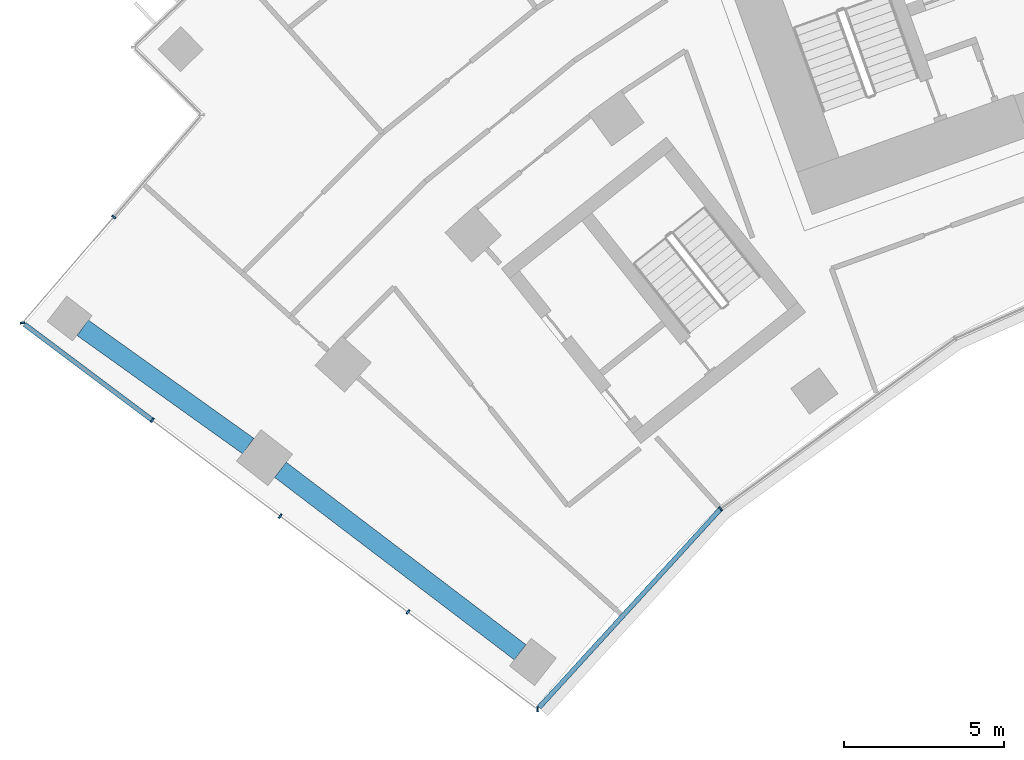
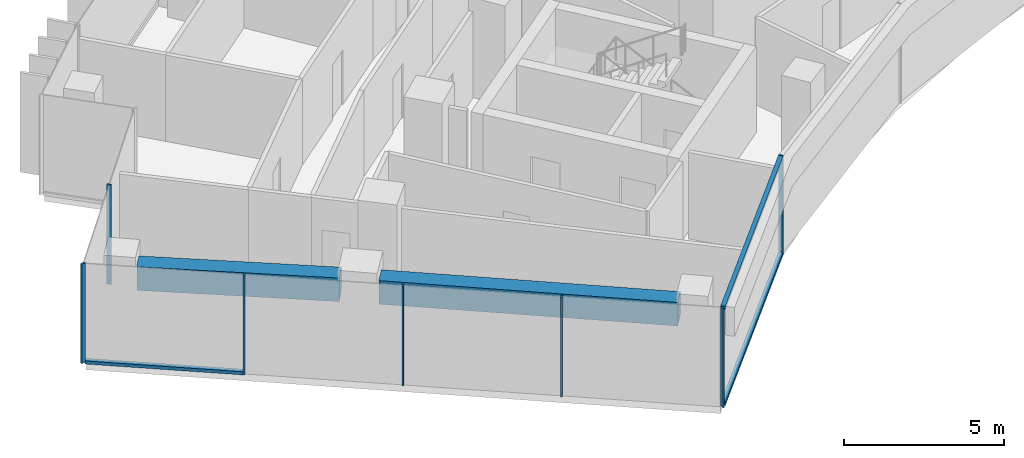
# One storey, part 2 of 21: 10 members, 2 beams, 3 elements without a shape of their own.
"""IFC4 building model written with IfcOpenShell, lengths in metres."""

from ifc_helpers import new_model, si_unit, direction, frame, origin, origin_2d, place, context, subcontext, project, spatial, rectangle, extrude, material, layer, layer_set, material_profile, profile_set, type_object, element, aggregate, save


model = new_model("IFC4")

# Units and contexts
model_context = context("Model", 3, precision=1e-05, world=origin(), true_north=direction((0.0, 1.0)))
body_context = subcontext(model_context, "Body", "Model", "MODEL_VIEW")
ifc_project = project(units=[si_unit("LENGTHUNIT", "METRE"), si_unit("AREAUNIT", "SQUARE_METRE"), si_unit("VOLUMEUNIT", "CUBIC_METRE"), si_unit("PLANEANGLEUNIT", "RADIAN"), si_unit("MASSUNIT", "GRAM", prefix="KILO")], contexts=[model_context])

# Site, building, storey
site_placement = place(None, origin())
site = spatial("IfcSite", under=ifc_project, at=site_placement, CompositionType="ELEMENT")
building_placement = place(site_placement, origin())
building = spatial("IfcBuilding", under=site, at=building_placement, Name="Stone Belt Terrace Tower", CompositionType="ELEMENT")
storey_placement = place(building_placement, frame((0.0, 0.0, 189.60009765625)))
storey = spatial("IfcBuildingStorey", under=building, at=storey_placement, Name="L46", CompositionType="ELEMENT", Elevation=189.60009765625)

# Curtain wall, members
ifc_material_1 = material(Name="Aluminium 6063-T6 anodised frame", Category="aluminium")
ifc_layer_1 = layer(ifc_material_1, 0.14990234375)
ifc_layer_set_1 = layer_set([ifc_layer_1], Name="CW-B unitised concave-face curtain wall")
curtain_wall_type_1 = type_object("IfcCurtainWallType", Name="CW-B unitised concave-face curtain wall", PredefinedType="NOTDEFINED", material=ifc_layer_set_1)
curtain_wall_1_placement = place(storey_placement, origin())
curtain_wall_1 = element("IfcCurtainWall", 1, at=curtain_wall_1_placement, inside=storey, type_object=curtain_wall_type_1, Name="CW-B concave face L46", PredefinedType="NOTDEFINED")
ifc_material_profile_1 = material_profile(ifc_material_1, rectangle(XDim=0.14990234375, YDim=0.050048828125, at=origin_2d()), Name="Aluminium 6063-T6 50x150")
ifc_profile_set_1 = profile_set([ifc_material_profile_1], Name="Aluminium 6063-T6 anodised frame")
member_type_1 = type_object("IfcMemberType", Name="CW-B mullion 50 x 150", PredefinedType="MULLION", material=ifc_profile_set_1)
member_1_placement = place(storey_placement, frame((-34.7900390625, 26.0, 0.0), z_axis=(0.0, 0.0, 1.0), x_axis=(-0.093180581986, 0.995649224949, 0.0)))
member_1 = element("IfcMember", 2, at=member_1_placement, type_object=member_type_1, Name="CW-B mullion 1", PredefinedType="MULLION", context=body_context, shape_type="SweptSolid", body=[
    extrude(rectangle(XDim=0.14990234375, YDim=0.050048828125, at=origin_2d()), origin(), (0.0, 0.0, 1.0), 3.7998046875),
])
member_2_placement = place(storey_placement, frame((-29.056884765625, 32.2705078125, 0.0), z_axis=(0.0, 0.0, 1.0), x_axis=(-0.666300886777, 0.745682994496, 0.0)))
member_2 = element("IfcMember", 3, at=member_2_placement, type_object=member_type_1, Name="CW-B mullion 2", PredefinedType="MULLION", context=body_context, shape_type="SweptSolid", body=[
    extrude(rectangle(XDim=0.14990234375, YDim=0.050048828125, at=origin_2d()), origin(), (0.0, 0.0, 1.0), 3.7998046875),
])
ifc_material_profile_2 = material_profile(ifc_material_1, rectangle(XDim=0.14990234375, YDim=0.1201171875, at=origin_2d()), Name="Aluminium 6063-T6 150x120")
ifc_profile_set_2 = profile_set([ifc_material_profile_2], Name="Aluminium 6063-T6 anodised frame")
member_type_2 = type_object("IfcMemberType", Name="CW-B transom 120 x 150", PredefinedType="USERDEFINED", material=ifc_profile_set_2)
member_3_placement = place(storey_placement, frame((-34.743408203125, 26.05078125, 0.059814453125), z_axis=(0.674757432231, 0.738039570517, 0.0), x_axis=(-0.738039570517, 0.674757432231, 0.0)))
member_3 = element("IfcMember", 4, at=member_3_placement, type_object=member_type_2, Name="CW-B transom 1.1", ObjectType="TRANSOM", PredefinedType="USERDEFINED", context=body_context, shape_type="SweptSolid", body=[
    extrude(rectangle(XDim=0.14990234375, YDim=0.1201171875, at=origin_2d()), origin(), (0.0, 0.0, 1.0), 8.39501953125),
])
member_4_placement = place(storey_placement, frame((-34.743408203125, 26.05078125, 3.739990234375), z_axis=(0.674757432231, 0.738039570517, 0.0), x_axis=(-0.738039570517, 0.674757432231, 0.0)))
member_4 = element("IfcMember", 5, at=member_4_placement, type_object=member_type_2, Name="CW-B transom 1.2", ObjectType="TRANSOM", PredefinedType="USERDEFINED", context=body_context, shape_type="SweptSolid", body=[
    extrude(rectangle(XDim=0.14990234375, YDim=0.1201171875, at=origin_2d()), origin(), (0.0, 0.0, 1.0), 8.39501953125),
])
aggregate(curtain_wall_1, [member_1, member_2, member_3, member_4])

# Curtain wall, member
ifc_layer_2 = layer(ifc_material_1, 0.14990234375)
ifc_layer_set_2 = layer_set([ifc_layer_2], Name="CW-C stick curtain wall, horn ends and notches")
curtain_wall_type_2 = type_object("IfcCurtainWallType", Name="CW-C stick curtain wall, horn ends and notches", PredefinedType="NOTDEFINED", material=ifc_layer_set_2)
curtain_wall_2_placement = place(storey_placement, origin())
curtain_wall_2 = element("IfcCurtainWall", 6, at=curtain_wall_2_placement, inside=storey, type_object=curtain_wall_type_2, Name="CW-C notch face L46", PredefinedType="NOTDEFINED")
ifc_material_profile_3 = material_profile(ifc_material_1, rectangle(XDim=0.14990234375, YDim=0.06005859375, at=origin_2d()), Name="Aluminium 6063-T6 60x150")
ifc_profile_set_3 = profile_set([ifc_material_profile_3], Name="Aluminium 6063-T6 anodised frame")
member_type_3 = type_object("IfcMemberType", Name="CW-C mullion 60 x 150", PredefinedType="MULLION", material=ifc_profile_set_3)
member_5_placement = place(storey_placement, frame((-48.05322265625, 41.40283203125, 0.0), z_axis=(0.0, 0.0, 1.0), x_axis=(0.757583847343, -0.652737860281, 0.0)))
member_5 = element("IfcMember", 7, at=member_5_placement, type_object=member_type_3, Name="CW-C mullion 2", PredefinedType="MULLION", context=body_context, shape_type="SweptSolid", body=[
    extrude(rectangle(XDim=0.14990234375, YDim=0.06005859375, at=origin_2d()), origin(), (0.0, 0.0, 1.0), 3.7998046875),
])
aggregate(curtain_wall_2, [member_5])

# Curtain wall, members
curtain_wall_3_placement = place(storey_placement, origin())
curtain_wall_3 = element("IfcCurtainWall", 8, at=curtain_wall_3_placement, inside=storey, type_object=curtain_wall_type_2, Name="CW-C end face L46", PredefinedType="NOTDEFINED")
member_6_placement = place(storey_placement, frame((-50.908447265625, 38.08935546875, 0.0), z_axis=(0.0, 0.0, 1.0), x_axis=(0.994169356535, 0.107829914807, 0.0)))
member_6 = element("IfcMember", 9, at=member_6_placement, type_object=member_type_3, Name="CW-C mullion 1", PredefinedType="MULLION", context=body_context, shape_type="SweptSolid", body=[
    extrude(rectangle(XDim=0.14990234375, YDim=0.06005859375, at=origin_2d()), origin(), (0.0, 0.0, 1.0), 3.7998046875),
])
member_7_placement = place(storey_placement, frame((-46.84423828125, 35.041015625, 0.0), z_axis=(0.0, 0.0, 1.0), x_axis=(0.600017992436, 0.799986505357, 0.0)))
member_7 = element("IfcMember", 10, at=member_7_placement, type_object=member_type_3, Name="CW-C mullion 2", PredefinedType="MULLION", context=body_context, shape_type="SweptSolid", body=[
    extrude(rectangle(XDim=0.14990234375, YDim=0.06005859375, at=origin_2d()), origin(), (0.0, 0.0, 1.0), 3.7998046875),
])
member_8_placement = place(storey_placement, frame((-42.84423828125, 32.041015625, 0.0), z_axis=(0.0, 0.0, 1.0), x_axis=(0.600017992436, 0.799986505357, 0.0)))
member_8 = element("IfcMember", 11, at=member_8_placement, type_object=member_type_3, Name="CW-C mullion 3", PredefinedType="MULLION", context=body_context, shape_type="SweptSolid", body=[
    extrude(rectangle(XDim=0.14990234375, YDim=0.06005859375, at=origin_2d()), origin(), (0.0, 0.0, 1.0), 3.7998046875),
])
member_9_placement = place(storey_placement, frame((-38.84423828125, 29.040771484375, 0.0), z_axis=(0.0, 0.0, 1.0), x_axis=(0.600017992436, 0.799986505357, 0.0)))
member_9 = element("IfcMember", 12, at=member_9_placement, type_object=member_type_3, Name="CW-C mullion 4", PredefinedType="MULLION", context=body_context, shape_type="SweptSolid", body=[
    extrude(rectangle(XDim=0.14990234375, YDim=0.06005859375, at=origin_2d()), origin(), (0.0, 0.0, 1.0), 3.7998046875),
])
ifc_material_profile_4 = material_profile(ifc_material_1, rectangle(XDim=0.14990234375, YDim=0.1201171875, at=origin_2d()), Name="Aluminium 6063-T6 150x120")
ifc_profile_set_4 = profile_set([ifc_material_profile_4], Name="Aluminium 6063-T6 anodised frame")
member_type_4 = type_object("IfcMemberType", Name="CW-C transom 120 x 150", PredefinedType="USERDEFINED", material=ifc_profile_set_4)
member_10_placement = place(storey_placement, frame((-50.84814453125, 38.044189453125, 0.059814453125), z_axis=(0.799988222323, -0.600015703248, 0.0), x_axis=(0.600015703248, 0.799988222323, 0.0)))
member_10 = element("IfcMember", 13, at=member_10_placement, type_object=member_type_4, Name="CW-C transom 1.1", ObjectType="TRANSOM", PredefinedType="USERDEFINED", context=body_context, shape_type="SweptSolid", body=[
    extrude(rectangle(XDim=0.14990234375, YDim=0.1201171875, at=origin_2d()), origin(), (0.0, 0.0, 1.0), 4.97509765625),
])
aggregate(curtain_wall_3, [member_6, member_7, member_8, member_9, member_10])

# Beams
ifc_material_2 = material(Name="Concrete B60", Category="concrete")
ifc_material_profile_5 = material_profile(ifc_material_2, rectangle(XDim=0.60009765625, YDim=0.89990234375, at=origin_2d()), Name="RC 600x900")
ifc_profile_set_5 = profile_set([ifc_material_profile_5], Name="Concrete B60")
beam_type = type_object("IfcBeamType", Name="Edge beam RC 600x900 B60", PredefinedType="SPANDREL", material=ifc_profile_set_5)
beam_1_placement = place(storey_placement, frame((-35.33203125, 27.779541015625, 2.849853515625), z_axis=(-0.795702028976, 0.605688270552, 0.0), x_axis=(-0.605688270552, -0.795702028976, 0.0)))
element("IfcBeam", 14, at=beam_1_placement, inside=storey, type_object=beam_type, Name="Edge beam L46 A P to Q", PredefinedType="SPANDREL", context=body_context, shape_type="SweptSolid", body=[
    extrude(rectangle(XDim=0.60009765625, YDim=0.89990234375, at=origin_2d()), origin(), (0.0, 0.0, 1.0), 9.430908203125),
])
beam_2_placement = place(storey_placement, frame((-43.842529296875, 34.23388671875, 2.849853515625), z_axis=(-0.813774908454, 0.581180177201, 0.0), x_axis=(-0.581180177201, -0.813774908454, 0.0)))
element("IfcBeam", 15, at=beam_2_placement, inside=storey, type_object=beam_type, Name="Edge beam L46 A Q to R", PredefinedType="SPANDREL", context=body_context, shape_type="SweptSolid", body=[
    extrude(rectangle(XDim=0.60009765625, YDim=0.89990234375, at=origin_2d()), origin(), (0.0, 0.0, 1.0), 6.369140625),
])

save(model, "model.ifc")
